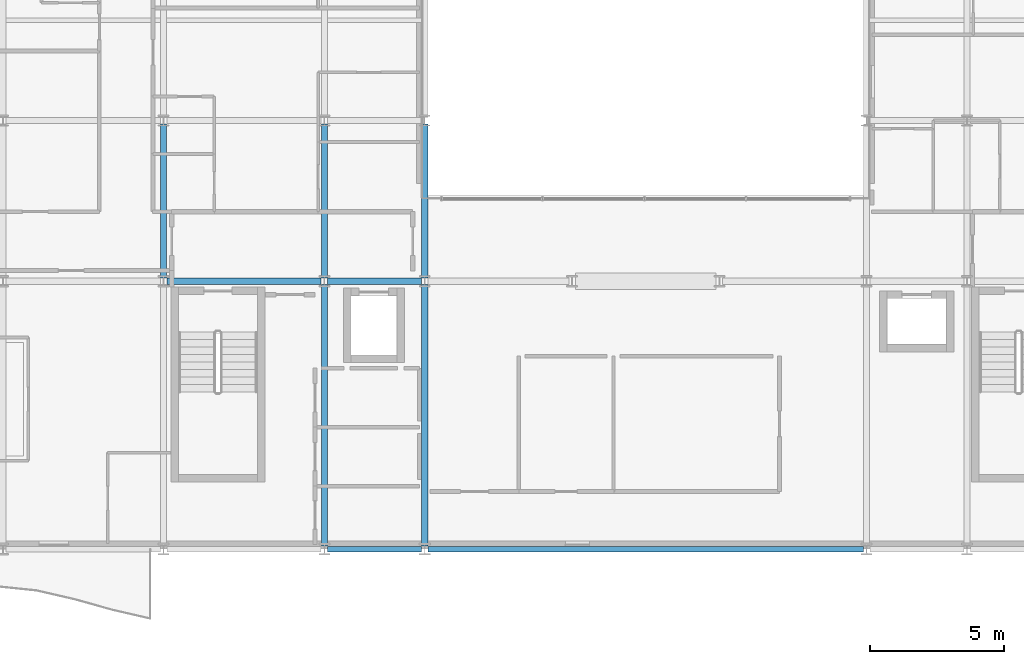
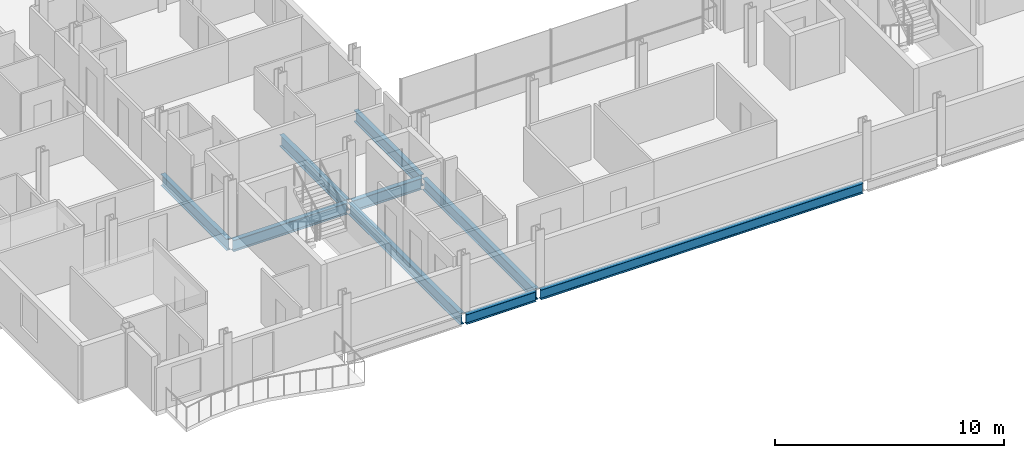
# One storey, part 3 of 41: 9 beams.
"""IFC4 building model written with IfcOpenShell, lengths in metres."""

from ifc_helpers import new_model, si_unit, direction, frame, origin, origin_2d, place, context, subcontext, project, spatial, i_section, extrude, material, material_profile, profile_set, type_object, element, save


model = new_model("IFC4")

# Units and contexts
model_context = context("Model", 3, precision=1e-05, world=origin(), true_north=direction((0.0, 1.0)))
body_context = subcontext(model_context, "Body", "Model", "MODEL_VIEW")
ifc_project = project(units=[si_unit("LENGTHUNIT", "METRE"), si_unit("AREAUNIT", "SQUARE_METRE"), si_unit("VOLUMEUNIT", "CUBIC_METRE"), si_unit("PLANEANGLEUNIT", "RADIAN"), si_unit("MASSUNIT", "GRAM", prefix="KILO")], contexts=[model_context])

# Site, building, storey
site_placement = place(None, origin())
site = spatial("IfcSite", under=ifc_project, at=site_placement, CompositionType="ELEMENT")
building_placement = place(site_placement, origin())
building = spatial("IfcBuilding", under=site, at=building_placement, Name="Brevholm Reach", CompositionType="ELEMENT")
storey_placement = place(building_placement, frame((0.0, 0.0, 106.60009765625)))
storey = spatial("IfcBuildingStorey", under=building, at=storey_placement, Name="L31", CompositionType="ELEMENT", Elevation=106.60009765625)

# Beams
ifc_material_1 = material(Name="Structural Steel S355J2", Category="steel")
ifc_material_profile_1 = material_profile(ifc_material_1, i_section(OverallWidth=0.209228515625, OverallDepth=0.533203125, WebThickness=0.010009765625, FlangeThickness=0.015625, FilletRadius=0.0126953125, at=origin_2d()), Name="UKB 533x210x92")
ifc_profile_set_1 = profile_set([ifc_material_profile_1], Name="Structural Steel S355J2")
beam_type_1 = type_object("IfcBeamType", Name="BM-SP533", PredefinedType="SPANDREL", material=ifc_profile_set_1)
beam_1_placement = place(storey_placement, frame((18.1201171875, 0.0, -0.486572265625), z_axis=(1.0, 0.0, 0.0), x_axis=(0.0, 1.0, 0.0)))
element("IfcBeam", 1, at=beam_1_placement, inside=storey, type_object=beam_type_1, Name="L31 SP-02 Framing Beam", PredefinedType="SPANDREL", context=body_context, shape_type="SweptSolid", body=[
    extrude(i_section(OverallWidth=0.209228515625, OverallDepth=0.533203125, WebThickness=0.010009765625, FlangeThickness=0.015625, FilletRadius=0.0126953125, at=origin_2d()), origin(), (0.0, 0.0, 1.0), 3.509765625),
])
beam_2_placement = place(storey_placement, frame((21.8701171875, 0.0, -0.486572265625), z_axis=(1.0, 0.0, 0.0), x_axis=(0.0, 1.0, 0.0)))
element("IfcBeam", 2, at=beam_2_placement, inside=storey, type_object=beam_type_1, Name="L31 SP-02 Framing Beam", PredefinedType="SPANDREL", context=body_context, shape_type="SweptSolid", body=[
    extrude(i_section(OverallWidth=0.209228515625, OverallDepth=0.533203125, WebThickness=0.010009765625, FlangeThickness=0.015625, FilletRadius=0.0126953125, at=origin_2d()), origin(), (0.0, 0.0, 1.0), 16.259765625),
])
ifc_material_2 = material(Name="Structural Steel S355J2", Category="steel")
ifc_material_profile_2 = material_profile(ifc_material_2, i_section(OverallWidth=0.22900390625, OverallDepth=0.6123046875, WebThickness=0.011962890625, FlangeThickness=0.01953125, FilletRadius=0.0126953125, at=origin_2d()), Name="UKB 610x229x125")
ifc_profile_set_2 = profile_set([ifc_material_profile_2], Name="Structural Steel S355J2")
beam_type_2 = type_object("IfcBeamType", Name="BM-SP610", PredefinedType="SPANDREL", material=ifc_profile_set_2)
beam_3_placement = place(storey_placement, frame((12.1201171875, 10.0, -0.526123046875), z_axis=(1.0, 0.0, 0.0), x_axis=(0.0, 1.0, 0.0)))
element("IfcBeam", 3, at=beam_3_placement, inside=storey, type_object=beam_type_2, Name="L31 SP-01 Framing Beam", PredefinedType="SPANDREL", context=body_context, shape_type="SweptSolid", body=[
    extrude(i_section(OverallWidth=0.22900390625, OverallDepth=0.6123046875, WebThickness=0.011962890625, FlangeThickness=0.01953125, FilletRadius=0.0126953125, at=origin_2d()), origin(), (0.0, 0.0, 1.0), 5.759765625),
])
beam_4_placement = place(storey_placement, frame((18.1201171875, 10.0, -0.526123046875), z_axis=(1.0, 0.0, 0.0), x_axis=(0.0, 1.0, 0.0)))
element("IfcBeam", 4, at=beam_4_placement, inside=storey, type_object=beam_type_2, Name="L31 SP-01 Framing Beam", PredefinedType="SPANDREL", context=body_context, shape_type="SweptSolid", body=[
    extrude(i_section(OverallWidth=0.22900390625, OverallDepth=0.6123046875, WebThickness=0.011962890625, FlangeThickness=0.01953125, FilletRadius=0.0126953125, at=origin_2d()), origin(), (0.0, 0.0, 1.0), 3.509765625),
])
beam_5_placement = place(storey_placement, frame((12.0, 10.1201171875, -0.526123046875), z_axis=(0.0, 1.0, 0.0), x_axis=(-1.0, 0.0, 0.0)))
element("IfcBeam", 5, at=beam_5_placement, inside=storey, type_object=beam_type_2, Name="L31 SP-01 Framing Beam", PredefinedType="SPANDREL", context=body_context, shape_type="SweptSolid", body=[
    extrude(i_section(OverallWidth=0.22900390625, OverallDepth=0.6123046875, WebThickness=0.011962890625, FlangeThickness=0.01953125, FilletRadius=0.0126953125, at=origin_2d()), origin(), (0.0, 0.0, 1.0), 5.759765625),
])
beam_6_placement = place(storey_placement, frame((18.0, 0.1201171875, -0.526123046875), z_axis=(0.0, 1.0, 0.0), x_axis=(-1.0, 0.0, 0.0)))
element("IfcBeam", 6, at=beam_6_placement, inside=storey, type_object=beam_type_2, Name="L31 SP-01 Framing Beam", PredefinedType="SPANDREL", context=body_context, shape_type="SweptSolid", body=[
    extrude(i_section(OverallWidth=0.22900390625, OverallDepth=0.6123046875, WebThickness=0.011962890625, FlangeThickness=0.01953125, FilletRadius=0.0126953125, at=origin_2d()), origin(), (0.0, 0.0, 1.0), 9.759765625),
])
beam_7_placement = place(storey_placement, frame((18.0, 10.1201171875, -0.526123046875), z_axis=(0.0, 1.0, 0.0), x_axis=(-1.0, 0.0, 0.0)))
element("IfcBeam", 7, at=beam_7_placement, inside=storey, type_object=beam_type_2, Name="L31 SP-01 Framing Beam", PredefinedType="SPANDREL", context=body_context, shape_type="SweptSolid", body=[
    extrude(i_section(OverallWidth=0.22900390625, OverallDepth=0.6123046875, WebThickness=0.011962890625, FlangeThickness=0.01953125, FilletRadius=0.0126953125, at=origin_2d()), origin(), (0.0, 0.0, 1.0), 5.759765625),
])
beam_8_placement = place(storey_placement, frame((21.75, 0.1201171875, -0.526123046875), z_axis=(0.0, 1.0, 0.0), x_axis=(-1.0, 0.0, 0.0)))
element("IfcBeam", 8, at=beam_8_placement, inside=storey, type_object=beam_type_2, Name="L31 SP-01 Framing Beam", PredefinedType="SPANDREL", context=body_context, shape_type="SweptSolid", body=[
    extrude(i_section(OverallWidth=0.22900390625, OverallDepth=0.6123046875, WebThickness=0.011962890625, FlangeThickness=0.01953125, FilletRadius=0.0126953125, at=origin_2d()), origin(), (0.0, 0.0, 1.0), 9.759765625),
])
beam_9_placement = place(storey_placement, frame((21.75, 10.1201171875, -0.526123046875), z_axis=(0.0, 1.0, 0.0), x_axis=(-1.0, 0.0, 0.0)))
element("IfcBeam", 9, at=beam_9_placement, inside=storey, type_object=beam_type_2, Name="L31 SP-01 Framing Beam", PredefinedType="SPANDREL", context=body_context, shape_type="SweptSolid", body=[
    extrude(i_section(OverallWidth=0.22900390625, OverallDepth=0.6123046875, WebThickness=0.011962890625, FlangeThickness=0.01953125, FilletRadius=0.0126953125, at=origin_2d()), origin(), (0.0, 0.0, 1.0), 5.759765625),
])

save(model, "model.ifc")
